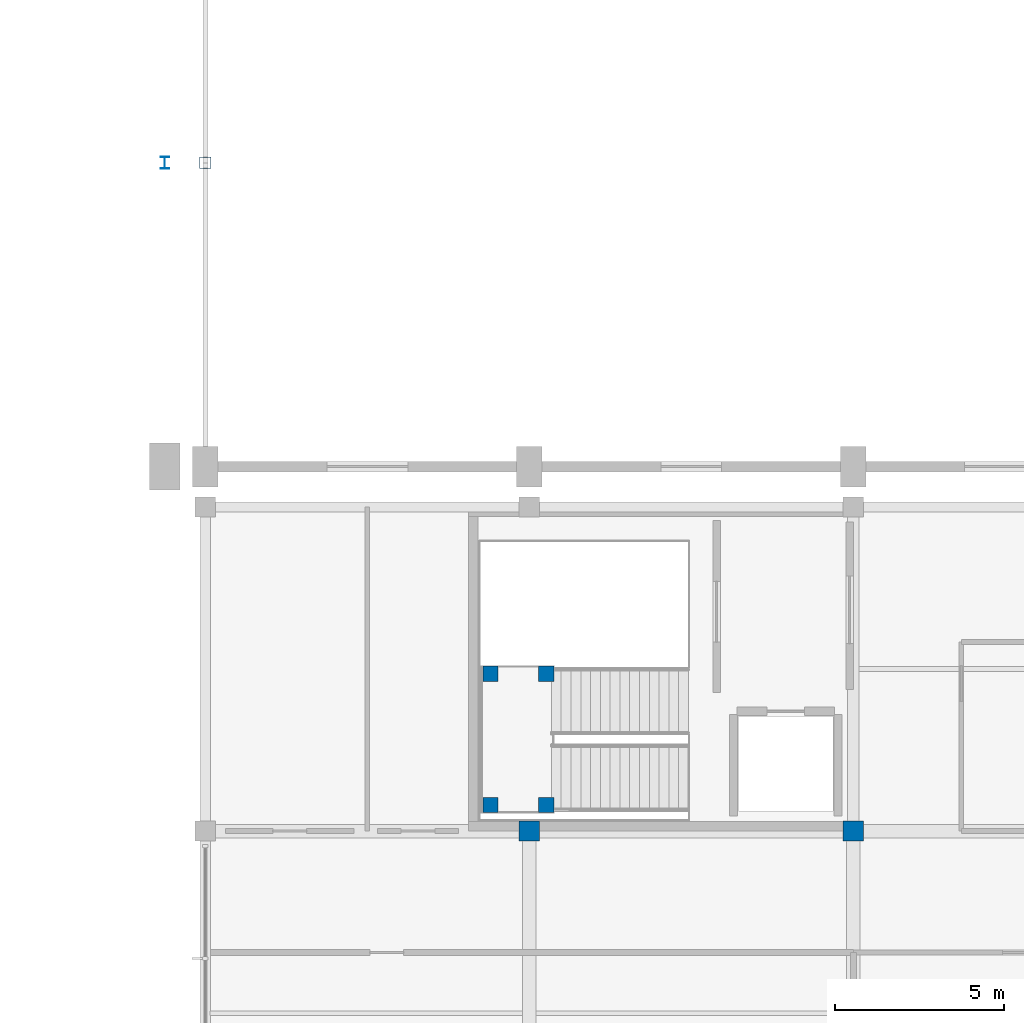
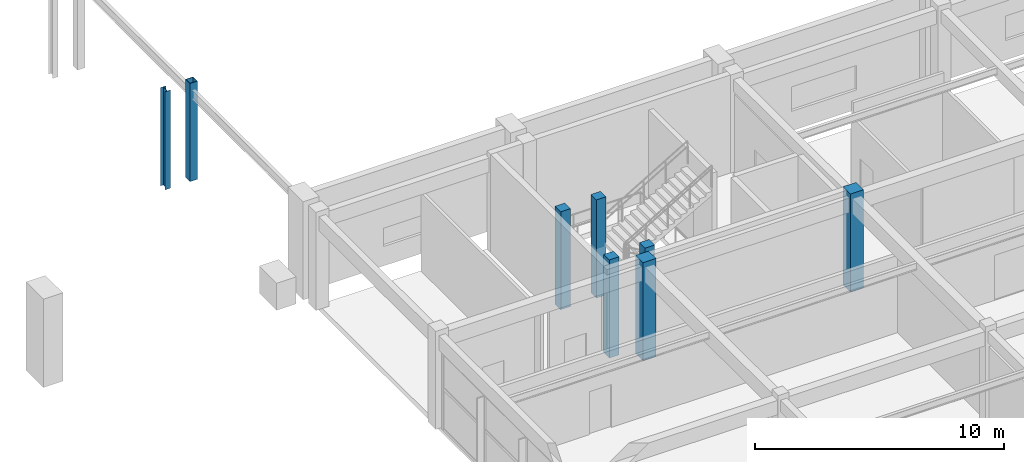
# One storey, part 7 of 74: 8 columns.
"""IFC4 building model written with IfcOpenShell, lengths in metres."""

from ifc_helpers import new_model, si_unit, direction, frame, origin, origin_2d, place, context, subcontext, project, spatial, rectangle, hollow_rectangle, i_section, extrude, material, material_profile, profile_set, type_object, element, save


model = new_model("IFC4")

# Units and contexts
model_context = context("Model", 3, precision=1e-05, world=origin(), true_north=direction((0.0, 1.0)))
body_context = subcontext(model_context, "Body", "Model", "MODEL_VIEW")
ifc_project = project(units=[si_unit("LENGTHUNIT", "METRE"), si_unit("AREAUNIT", "SQUARE_METRE"), si_unit("VOLUMEUNIT", "CUBIC_METRE"), si_unit("PLANEANGLEUNIT", "RADIAN"), si_unit("MASSUNIT", "GRAM", prefix="KILO")], contexts=[model_context])

# Site, building, storey
site_placement = place(None, origin())
site = spatial("IfcSite", under=ifc_project, at=site_placement, CompositionType="ELEMENT")
building_placement = place(site_placement, origin())
building = spatial("IfcBuilding", under=site, at=building_placement, Name="Suirenkawa Promenade Aquatics Centre", CompositionType="ELEMENT")
storey_placement = place(building_placement, frame((0.0, 0.0, 4.800048828125)))
storey = spatial("IfcBuildingStorey", under=building, at=storey_placement, Name="L01", CompositionType="ELEMENT", Elevation=4.800048828125)

# Columns
ifc_material_1 = material(Name="Concrete M40", Category="concrete")
ifc_material_profile_1 = material_profile(ifc_material_1, rectangle(XDim=0.449951171875, YDim=0.449951171875, at=origin_2d()), Name="RC COL 450x450", Category="concrete")
ifc_profile_set_1 = profile_set([ifc_material_profile_1], Name="Concrete M40")
column_type_1 = type_object("IfcColumnType", Name="CT-RC-450", PredefinedType="COLUMN", material=ifc_profile_set_1)
for number, where, z_axis, x_axis, name in (
    (1, (164.449951171875, 40.3701171875, 0.0), (0.0, 0.0, 1.0), (1.0, 0.0, 0.0), "Core stair landing column CL-01 COL-CR-C6-L01-1"),
    (2, (166.10009765625, 40.3701171875, 0.0), (0.0, 0.0, 1.0), (1.0, 0.0, 0.0), "Core stair landing column CL-01 COL-CR-C6-L01-2"),
    (3, (164.449951171875, 44.260009765625, 0.0), (0.0, 0.0, 1.0), (1.0, 0.0, 0.0), "Core stair landing column CL-01 COL-CR-C6-L01-3"),
    (4, (166.10009765625, 44.260009765625, 0.0), (0.0, 0.0, 1.0), (1.0, 0.0, 0.0), "Core stair landing column CL-01 COL-CR-C6-L01-4"),
):
    element("IfcColumn", number, at=place(storey_placement, frame(where, z_axis=z_axis, x_axis=x_axis)), inside=storey, type_object=column_type_1, Name=name, PredefinedType="COLUMN", context=body_context, shape_type="SweptSolid", body=[
        extrude(rectangle(XDim=0.449951171875, YDim=0.449951171875, at=origin_2d()), origin(), (0.0, 0.0, 1.0), 4.800048828125),
    ])
ifc_material_profile_2 = material_profile(ifc_material_1, rectangle(XDim=0.60009765625, YDim=0.60009765625, at=origin_2d()), Name="RC COL 600x600", Category="concrete")
ifc_profile_set_2 = profile_set([ifc_material_profile_2], Name="Concrete M40")
column_type_2 = type_object("IfcColumnType", Name="CT-RC-600", PredefinedType="COLUMN", material=ifc_profile_set_2)
for number, where, z_axis, x_axis, name in (
    (5, (165.60009765625, 39.60009765625, 0.0), (0.0, 0.0, 1.0), (1.0, 0.0, 0.0), "Column CL-03 COL-0464"),
    (6, (175.199951171875, 39.60009765625, 0.0), (0.0, 0.0, 1.0), (1.0, 0.0, 0.0), "Column CL-03 COL-0474"),
):
    element("IfcColumn", number, at=place(storey_placement, frame(where, z_axis=z_axis, x_axis=x_axis)), inside=storey, type_object=column_type_2, Name=name, PredefinedType="COLUMN", context=body_context, shape_type="SweptSolid", body=[
        extrude(rectangle(XDim=0.60009765625, YDim=0.60009765625, at=origin_2d()), origin(), (0.0, 0.0, 1.0), 4.800048828125),
    ])
ifc_material_2 = material(Name="Steel IS 2062 E350 (Grade 350)", Category="steel")
ifc_material_profile_3 = material_profile(ifc_material_2, i_section(OverallWidth=0.25, OverallDepth=0.35009765625, WebThickness=0.010009765625, FlangeThickness=0.011962890625, at=origin_2d()), Name="ISHB 350", Category="steel")
ifc_profile_set_3 = profile_set([ifc_material_profile_3], Name="Steel IS 2062 E350 (Grade 350)")
column_type_3 = type_object("IfcColumnType", Name="CT-STL-ISHB350", PredefinedType="COLUMN", material=ifc_profile_set_3)
column_1_placement = place(storey_placement, frame((154.800048828125, 59.39990234375, 0.0), z_axis=(0.0, 0.0, 1.0), x_axis=(1.0, 0.0, 0.0)))
element("IfcColumn", 7, at=column_1_placement, inside=storey, type_object=column_type_3, Name="Column CL-12 COL-0796", PredefinedType="COLUMN", context=body_context, shape_type="SweptSolid", body=[
    extrude(i_section(OverallWidth=0.25, OverallDepth=0.35009765625, WebThickness=0.010009765625, FlangeThickness=0.011962890625, at=origin_2d()), origin(), (0.0, 0.0, 1.0), 4.800048828125),
])
ifc_material_profile_4 = material_profile(ifc_material_2, hollow_rectangle(XDim=0.35009765625, YDim=0.35009765625, WallThickness=0.01611328125, at=origin_2d()), Name="SHS 350x350x16", Category="steel")
ifc_profile_set_4 = profile_set([ifc_material_profile_4], Name="Steel IS 2062 E350 (Grade 350)")
column_type_4 = type_object("IfcColumnType", Name="CT-STL-SHS350", PredefinedType="COLUMN", material=ifc_profile_set_4)
column_2_placement = place(storey_placement, frame((156.0, 59.39990234375, 0.0), z_axis=(0.0, 0.0, 1.0), x_axis=(1.0, 0.0, 0.0)))
element("IfcColumn", 8, at=column_2_placement, inside=storey, type_object=column_type_4, Name="Column CL-15 COL-0618", PredefinedType="COLUMN", context=body_context, shape_type="SweptSolid", body=[
    extrude(hollow_rectangle(XDim=0.35009765625, YDim=0.35009765625, WallThickness=0.01611328125, at=origin_2d()), origin(), (0.0, 0.0, 1.0), 4.800048828125),
])

save(model, "model.ifc")
